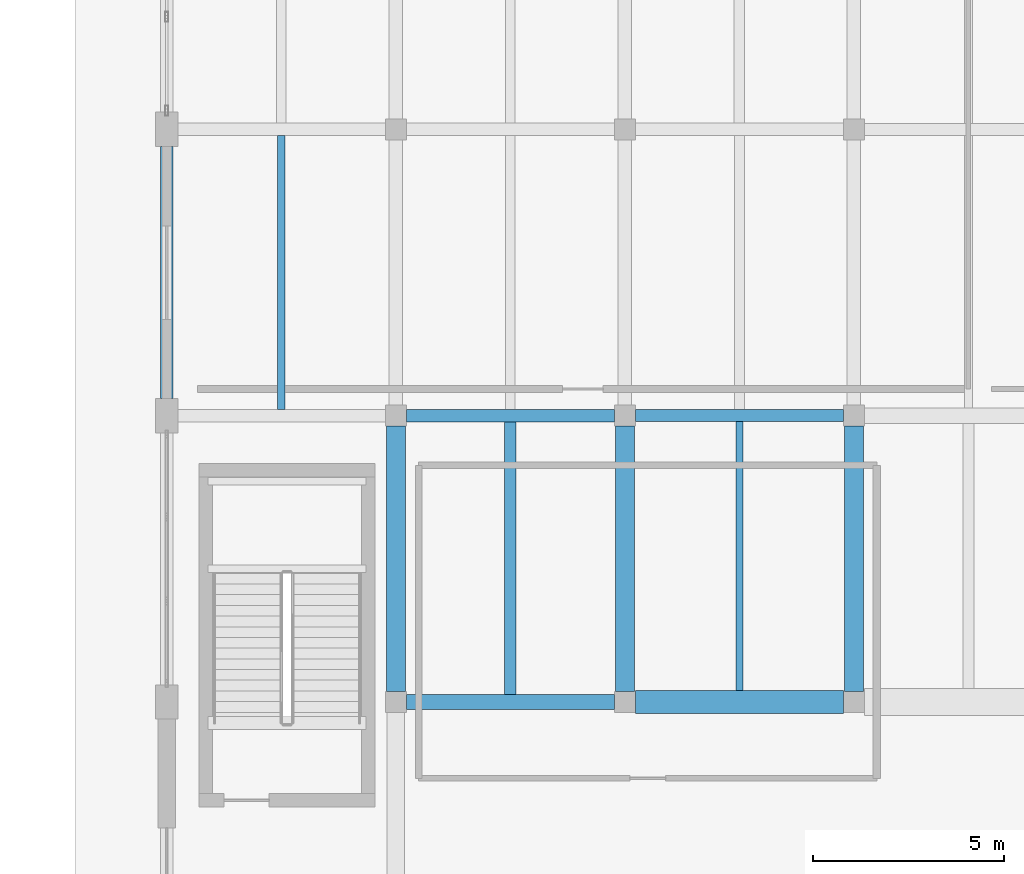
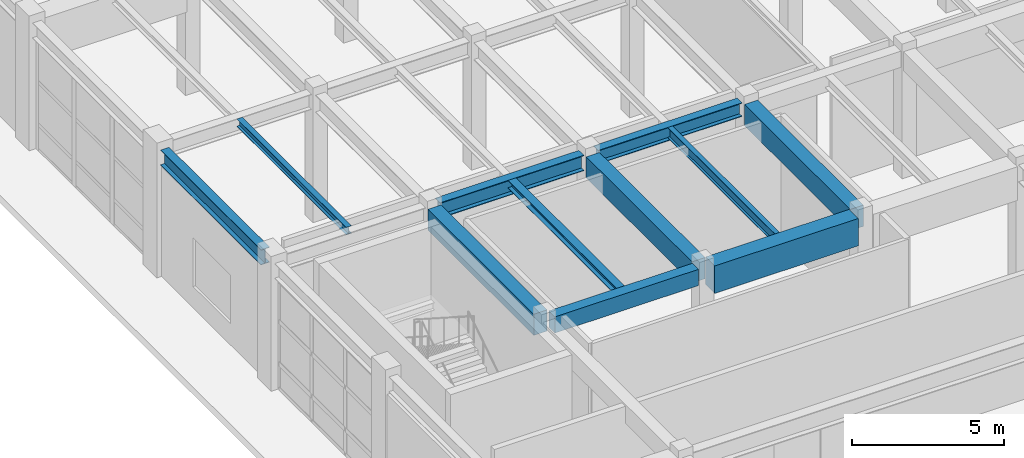
# One storey, part 31 of 91: 11 beams.
"""IFC4 building model written with IfcOpenShell, lengths in metres."""

from ifc_helpers import new_model, si_unit, direction, frame, origin, origin_2d, place, context, subcontext, project, spatial, rectangle, i_section, extrude, material, material_profile, profile_set, type_object, element, save


model = new_model("IFC4")

# Units and contexts
model_context = context("Model", 3, precision=1e-05, world=origin(), true_north=direction((0.0, 1.0)))
body_context = subcontext(model_context, "Body", "Model", "MODEL_VIEW")
ifc_project = project(units=[si_unit("LENGTHUNIT", "METRE"), si_unit("AREAUNIT", "SQUARE_METRE"), si_unit("VOLUMEUNIT", "CUBIC_METRE"), si_unit("PLANEANGLEUNIT", "RADIAN"), si_unit("MASSUNIT", "GRAM", prefix="KILO")], contexts=[model_context])

# Site, building, storey
site_placement = place(None, origin())
site = spatial("IfcSite", under=ifc_project, at=site_placement, CompositionType="ELEMENT")
building_placement = place(site_placement, origin())
building = spatial("IfcBuilding", under=site, at=building_placement, Name="Vaelkrest Opera House", CompositionType="ELEMENT")
storey_placement = place(building_placement, origin())
storey = spatial("IfcBuildingStorey", under=building, at=storey_placement, Name="L00", CompositionType="ELEMENT", Elevation=0.0)

# Beams
ifc_material_1 = material(Name="Concrete C50/60", Category="concrete")
ifc_material_profile_1 = material_profile(ifc_material_1, rectangle(XDim=0.39990234375, YDim=0.64990234375, at=origin_2d()), Name="RCB400X650")
ifc_profile_set_1 = profile_set([ifc_material_profile_1], Name="Concrete C50/60")
beam_type_1 = type_object("IfcBeamType", Name="B01", PredefinedType="BEAM", material=ifc_profile_set_1)
beam_1_placement = place(storey_placement, frame((-69.324951171875, 10.199951171875, 4.7548828125), z_axis=(1.0, 0.0, 0.0), x_axis=(0.0, 1.0, 0.0)))
element("IfcBeam", 1, at=beam_1_placement, inside=storey, type_object=beam_type_1, Name="Beam BM-V3-L00-1397", PredefinedType="BEAM", context=body_context, shape_type="SweptSolid", body=[
    extrude(rectangle(XDim=0.39990234375, YDim=0.64990234375, at=origin_2d()), origin(), (0.0, 0.0, 1.0), 5.449951171875),
])
ifc_material_profile_2 = material_profile(ifc_material_1, rectangle(XDim=0.5, YDim=0.85009765625, at=origin_2d()), Name="RCB500X850")
ifc_profile_set_2 = profile_set([ifc_material_profile_2], Name="Concrete C50/60")
beam_type_2 = type_object("IfcBeamType", Name="B03", PredefinedType="BEAM", material=ifc_profile_set_2)
for number, where, z_axis, x_axis, name in (
    (2, (-69.60009765625, 10.47509765625, 4.655029296875), (0.0, 1.0, 0.0), (-1.0, 0.0, 0.0), "Beam BM-V3-L00-1440"),
    (3, (-63.60009765625, 10.47509765625, 4.655029296875), (0.0, 1.0, 0.0), (-1.0, 0.0, 0.0), "Beam BM-V3-L00-1444"),
    (4, (-57.60009765625, 10.47509765625, 4.655029296875), (0.0, 1.0, 0.0), (-1.0, 0.0, 0.0), "Beam BM-V3-L00-1448"),
):
    element("IfcBeam", number, at=place(storey_placement, frame(where, z_axis=z_axis, x_axis=x_axis)), inside=storey, type_object=beam_type_2, Name=name, PredefinedType="BEAM", context=body_context, shape_type="SweptSolid", body=[
        extrude(rectangle(XDim=0.5, YDim=0.85009765625, at=origin_2d()), origin(), (0.0, 0.0, 1.0), 6.949951171875),
    ])
ifc_material_profile_3 = material_profile(ifc_material_1, rectangle(XDim=0.60009765625, YDim=1.10009765625, at=origin_2d()), Name="RCB600X1100")
ifc_profile_set_3 = profile_set([ifc_material_profile_3], Name="Concrete C50/60")
beam_type_3 = type_object("IfcBeamType", Name="B05", PredefinedType="BEAM", material=ifc_profile_set_3)
beam_2_placement = place(storey_placement, frame((-63.324951171875, 10.199951171875, 4.530029296875), z_axis=(1.0, 0.0, 0.0), x_axis=(0.0, 1.0, 0.0)))
element("IfcBeam", 5, at=beam_2_placement, inside=storey, type_object=beam_type_3, Name="Beam BM-V3-L00-1398", PredefinedType="BEAM", context=body_context, shape_type="SweptSolid", body=[
    extrude(rectangle(XDim=0.60009765625, YDim=1.10009765625, at=origin_2d()), origin(), (0.0, 0.0, 1.0), 5.449951171875),
])
ifc_material_2 = material(Name="Steel A992 Gr50", Category="steel")
ifc_material_profile_4 = material_profile(ifc_material_2, i_section(OverallWidth=0.326904296875, OverallDepth=0.6220703125, WebThickness=0.015380859375, FlangeThickness=0.0244140625, at=origin_2d()), Name="W24X131")
ifc_profile_set_4 = profile_set([ifc_material_profile_4], Name="Steel A992 Gr50")
beam_type_4 = type_object("IfcBeamType", Name="B19", PredefinedType="BEAM", material=ifc_profile_set_4)
beam_3_placement = place(storey_placement, frame((-69.324951171875, 17.699951171875, 4.76904296875), z_axis=(1.0, 0.0, 0.0), x_axis=(0.0, 1.0, 0.0)))
element("IfcBeam", 6, at=beam_3_placement, inside=storey, type_object=beam_type_4, Name="Beam BM-V3-L00-1403", PredefinedType="BEAM", context=body_context, shape_type="SweptSolid", body=[
    extrude(i_section(OverallWidth=0.326904296875, OverallDepth=0.6220703125, WebThickness=0.015380859375, FlangeThickness=0.0244140625, at=origin_2d()), origin(), (0.0, 0.0, 1.0), 5.449951171875),
])
ifc_material_profile_5 = material_profile(ifc_material_2, i_section(OverallWidth=0.31494140625, OverallDepth=0.551025390625, WebThickness=0.01513671875, FlangeThickness=0.0244140625, at=origin_2d()), Name="W21X122")
ifc_profile_set_5 = profile_set([ifc_material_profile_5], Name="Steel A992 Gr50")
beam_type_5 = type_object("IfcBeamType", Name="B20", PredefinedType="BEAM", material=ifc_profile_set_5)
beam_4_placement = place(storey_placement, frame((-63.324951171875, 17.699951171875, 4.804443359375), z_axis=(1.0, 0.0, 0.0), x_axis=(0.0, 1.0, 0.0)))
element("IfcBeam", 7, at=beam_4_placement, inside=storey, type_object=beam_type_5, Name="Beam BM-V3-L00-1404", PredefinedType="BEAM", context=body_context, shape_type="SweptSolid", body=[
    extrude(i_section(OverallWidth=0.31494140625, OverallDepth=0.551025390625, WebThickness=0.01513671875, FlangeThickness=0.0244140625, at=origin_2d()), origin(), (0.0, 0.0, 1.0), 5.449951171875),
])
ifc_material_profile_6 = material_profile(ifc_material_2, i_section(OverallWidth=0.202880859375, OverallDepth=0.302978515625, WebThickness=0.007568359375, FlangeThickness=0.01318359375, at=origin_2d()), Name="W12X40")
ifc_profile_set_6 = profile_set([ifc_material_profile_6], Name="Steel A992 Gr50")
beam_type_6 = type_object("IfcBeamType", Name="J02", PredefinedType="JOIST", material=ifc_profile_set_6)
beam_5_placement = place(storey_placement, frame((-72.60009765625, 17.864013671875, 4.928466796875), z_axis=(0.0, 1.0, 0.0), x_axis=(-1.0, 0.0, 0.0)))
element("IfcBeam", 8, at=beam_5_placement, inside=storey, type_object=beam_type_6, Name="Floor joist JST-V3-L00-1482", PredefinedType="JOIST", context=body_context, shape_type="SweptSolid", body=[
    extrude(i_section(OverallWidth=0.202880859375, OverallDepth=0.302978515625, WebThickness=0.007568359375, FlangeThickness=0.01318359375, at=origin_2d()), origin(), (0.0, 0.0, 1.0), 7.174072265625),
])
ifc_material_profile_7 = material_profile(ifc_material_2, i_section(OverallWidth=0.304931640625, OverallDepth=0.30810546875, WebThickness=0.010009765625, FlangeThickness=0.015380859375, at=origin_2d()), Name="W12X65")
ifc_profile_set_7 = profile_set([ifc_material_profile_7], Name="Steel A992 Gr50")
beam_type_7 = type_object("IfcBeamType", Name="J04", PredefinedType="JOIST", material=ifc_profile_set_7)
beam_6_placement = place(storey_placement, frame((-66.60009765625, 10.39990234375, 4.926025390625), z_axis=(0.0, 1.0, 0.0), x_axis=(-1.0, 0.0, 0.0)))
element("IfcBeam", 9, at=beam_6_placement, inside=storey, type_object=beam_type_7, Name="Floor joist JST-V3-L00-1484", PredefinedType="JOIST", context=body_context, shape_type="SweptSolid", body=[
    extrude(i_section(OverallWidth=0.304931640625, OverallDepth=0.30810546875, WebThickness=0.010009765625, FlangeThickness=0.015380859375, at=origin_2d()), origin(), (0.0, 0.0, 1.0), 7.13671875),
])
ifc_material_profile_8 = material_profile(ifc_material_2, i_section(OverallWidth=0.180908203125, OverallDepth=0.4169921875, WebThickness=0.010986328125, FlangeThickness=0.018310546875, at=origin_2d()), Name="W16X57")
ifc_profile_set_8 = profile_set([ifc_material_profile_8], Name="Steel A992 Gr50")
beam_type_8 = type_object("IfcBeamType", Name="J07", PredefinedType="JOIST", material=ifc_profile_set_8)
beam_7_placement = place(storey_placement, frame((-60.60009765625, 10.5, 4.87158203125), z_axis=(0.0, 1.0, 0.0), x_axis=(-1.0, 0.0, 0.0)))
element("IfcBeam", 10, at=beam_7_placement, inside=storey, type_object=beam_type_8, Name="Floor joist JST-V3-L00-1487", PredefinedType="JOIST", context=body_context, shape_type="SweptSolid", body=[
    extrude(i_section(OverallWidth=0.180908203125, OverallDepth=0.4169921875, WebThickness=0.010986328125, FlangeThickness=0.018310546875, at=origin_2d()), origin(), (0.0, 0.0, 1.0), 7.04248046875),
])
ifc_material_profile_9 = material_profile(ifc_material_2, i_section(OverallWidth=0.323974609375, OverallDepth=0.611083984375, WebThickness=0.0126953125, FlangeThickness=0.01904296875, at=origin_2d()), Name="W24X104")
ifc_profile_set_9 = profile_set([ifc_material_profile_9], Name="Steel A992 Gr50")
beam_type_9 = type_object("IfcBeamType", Name="SP01", PredefinedType="SPANDREL", material=ifc_profile_set_9)
beam_8_placement = place(storey_placement, frame((-75.60009765625, 18.14990234375, 4.7744140625), z_axis=(0.0, 1.0, 0.0), x_axis=(-1.0, 0.0, 0.0)))
element("IfcBeam", 11, at=beam_8_placement, inside=storey, type_object=beam_type_9, Name="Beam BM-V3-L00-1434", PredefinedType="SPANDREL", context=body_context, shape_type="SweptSolid", body=[
    extrude(i_section(OverallWidth=0.323974609375, OverallDepth=0.611083984375, WebThickness=0.0126953125, FlangeThickness=0.01904296875, at=origin_2d()), origin(), (0.0, 0.0, 1.0), 6.60009765625),
])

save(model, "model.ifc")
